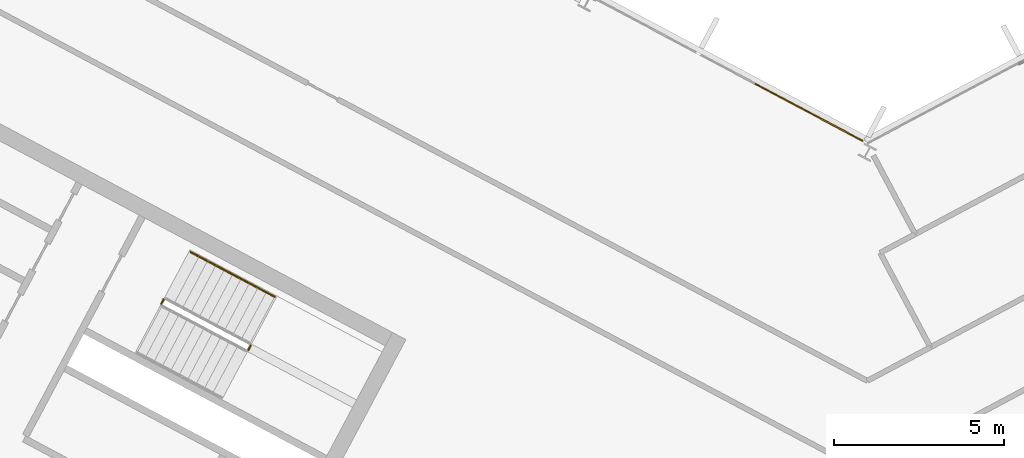
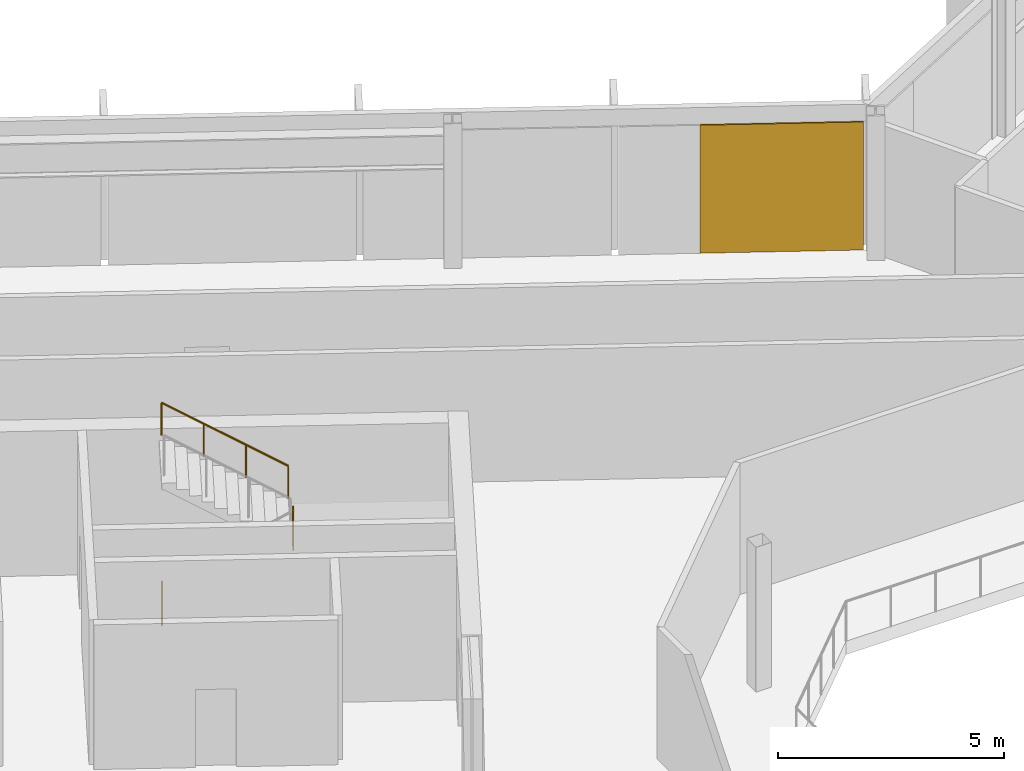
# One storey, part 22 of 25: 3 railings, 1 covering, 1 element without a shape of its own.
"""IFC4 building model written with IfcOpenShell, lengths in metres."""

from ifc_helpers import new_model, si_unit, direction, frame, origin, origin_2d, place, context, subcontext, project, spatial, polyline, rectangle, outline, extrude, material, layer, layer_set, type_object, element, aggregate, save


model = new_model("IFC4")

# Units and contexts
model_context = context("Model", 3, precision=1e-05, world=origin(), true_north=direction((0.0, 1.0)))
body_context = subcontext(model_context, "Body", "Model", "MODEL_VIEW")
ifc_project = project(units=[si_unit("LENGTHUNIT", "METRE"), si_unit("AREAUNIT", "SQUARE_METRE"), si_unit("VOLUMEUNIT", "CUBIC_METRE"), si_unit("PLANEANGLEUNIT", "RADIAN"), si_unit("MASSUNIT", "GRAM", prefix="KILO")], contexts=[model_context])

# Site, building, storey
site_placement = place(None, origin())
site = spatial("IfcSite", under=ifc_project, at=site_placement, CompositionType="ELEMENT")
building_placement = place(site_placement, origin())
building = spatial("IfcBuilding", under=site, at=building_placement, Name="Cormorant Relay Tower", CompositionType="ELEMENT")
storey_placement = place(building_placement, frame((0.0, 0.0, 289.199951171875)))
storey = spatial("IfcBuildingStorey", under=building, at=storey_placement, Name="L65", CompositionType="ELEMENT", Elevation=289.199951171875)

# Curtain wall, covering
ifc_material_1 = material(Name="Aluminium 6063-T6 anodised bronze", Category="aluminium")
ifc_layer_1 = layer(ifc_material_1, 0.199951171875)
ifc_layer_set_1 = layer_set([ifc_layer_1], Name="CW1 unitised bronze curtain wall with vertical fins")
curtain_wall_type = type_object("IfcCurtainWallType", Name="CW1 unitised bronze curtain wall with vertical fins", PredefinedType="NOTDEFINED", material=ifc_layer_set_1)
curtain_wall_placement = place(storey_placement, origin())
curtain_wall = element("IfcCurtainWall", 1, at=curtain_wall_placement, inside=storey, type_object=curtain_wall_type, Name="CW1 curtain wall 9", PredefinedType="NOTDEFINED")
ifc_material_2 = material(Name="Pale bronze anodised aluminium insulated panel", Category="aluminium")
ifc_layer_2 = layer(ifc_material_2, 0.0400390625)
ifc_layer_set_2 = layer_set([ifc_layer_2], Name="CW1 pale bronze insulated panel 40")
covering_type = type_object("IfcCoveringType", Name="CW1 pale bronze insulated panel 40", PredefinedType="CLADDING", material=ifc_layer_set_2)
covering_placement = place(storey_placement, frame((-1.718505859375, 24.720458984375, 0.0), z_axis=(0.0, 0.0, 1.0), x_axis=(-0.882947592859, 0.469471562786, 0.0)))
covering = element("IfcCovering", 2, at=covering_placement, type_object=covering_type, Name="CW1 panel S00", PredefinedType="CLADDING", context=body_context, shape_type="SweptSolid", body=[
    extrude(rectangle(XDim=3.614013671875, YDim=0.0400390625, at=origin_2d()), origin(), (0.0, 0.0, 1.0), 3.449951171875),
])
aggregate(curtain_wall, [covering])

# Railings
ifc_material_3 = material(Name="Steel ASTM A572 Grade 50 (Fy 345 MPa)", Category="steel")
railing_type_1 = type_object("IfcRailingType", Name="Stair guard 1100", PredefinedType="GUARDRAIL", material=ifc_material_3)
railing_1_placement = place(storey_placement, frame((-18.210693359375, 17.72412109375, 1.949951171875)))
element("IfcRailing", 3, at=railing_1_placement, inside=storey, type_object=railing_type_1, Name="L65 A1 stair guard 2", PredefinedType="GUARDRAIL", context=body_context, shape_type="SweptSolid", body=[
    extrude(outline(polyline([(0.022216796875, 0.00927734375), (0.00927734375, 0.022216796875), (-0.00927734375, 0.022216796875), (-0.022216796875, 0.00927734375), (-0.022216796875, -0.00927734375), (-0.00927734375, -0.022216796875), (0.00927734375, -0.022216796875), (0.022216796875, -0.00927734375), (0.022216796875, 0.00927734375)])), frame((0.0, 0.0, 1.076171875), z_axis=(0.470503732759, 0.882398003998, 0.0), x_axis=(-0.882398003998, 0.470503732759, 0.0)), (0.0, 0.0, 1.0), 0.14990234375),
    extrude(outline(polyline([(0.019287109375, 0.008056640625), (0.008056640625, 0.019287109375), (-0.008056640625, 0.019287109375), (-0.019287109375, 0.008056640625), (-0.019287109375, -0.008056640625), (-0.008056640625, -0.019287109375), (0.008056640625, -0.019287109375), (0.019287109375, -0.008056640625), (0.019287109375, 0.008056640625)])), origin(), (0.0, 0.0, 1.0), 1.052001953125),
    extrude(outline(polyline([(0.019287109375, 0.008056640625), (0.008056640625, 0.019287109375), (-0.008056640625, 0.019287109375), (-0.019287109375, 0.008056640625), (-0.019287109375, -0.008056640625), (-0.008056640625, -0.019287109375), (0.008056640625, -0.019287109375), (0.019287109375, -0.008056640625), (0.019287109375, 0.008056640625)])), frame((0.070556640625, 0.13232421875, 0.0)), (0.0, 0.0, 1.0), 1.052001953125),
])
railing_2_placement = place(storey_placement, frame((-20.771240234375, 19.08544921875, 0.0)))
element("IfcRailing", 4, at=railing_2_placement, inside=storey, type_object=railing_type_1, Name="L65 A1 stair guard 4", PredefinedType="GUARDRAIL", context=body_context, shape_type="SweptSolid", body=[
    extrude(outline(polyline([(0.022216796875, 0.00927734375), (0.00927734375, 0.022216796875), (-0.00927734375, 0.022216796875), (-0.022216796875, 0.00927734375), (-0.022216796875, -0.00927734375), (-0.00927734375, -0.022216796875), (0.00927734375, -0.022216796875), (0.022216796875, -0.00927734375), (0.022216796875, 0.00927734375)])), frame((0.0, 0.0, 1.076171875), z_axis=(0.469828648786, 0.882757634224, 0.0), x_axis=(-0.882757634224, 0.469828648786, 0.0)), (0.0, 0.0, 1.0), 0.150146484375),
    extrude(outline(polyline([(0.019287109375, 0.008056640625), (0.008056640625, 0.019287109375), (-0.008056640625, 0.019287109375), (-0.019287109375, 0.008056640625), (-0.019287109375, -0.008056640625), (-0.008056640625, -0.019287109375), (0.008056640625, -0.019287109375), (0.019287109375, -0.008056640625), (0.019287109375, 0.008056640625)])), origin(), (0.0, 0.0, 1.0), 1.052001953125),
    extrude(outline(polyline([(0.019287109375, 0.008056640625), (0.008056640625, 0.019287109375), (-0.008056640625, 0.019287109375), (-0.019287109375, 0.008056640625), (-0.019287109375, -0.008056640625), (-0.008056640625, -0.019287109375), (0.008056640625, -0.019287109375), (0.019287109375, -0.008056640625), (0.019287109375, 0.008056640625)])), frame((0.070556640625, 0.132568359375, 0.0)), (0.0, 0.0, 1.0), 1.052001953125),
])
ifc_material_4 = material(Name="Steel ASTM A572 Grade 50 (Fy 345 MPa)", Category="steel")
railing_type_2 = type_object("IfcRailingType", Name="Stair handrail 900", PredefinedType="HANDRAIL", material=ifc_material_4)
railing_3_placement = place(storey_placement, frame((-17.433349609375, 19.292724609375, 2.12744140625)))
element("IfcRailing", 5, at=railing_3_placement, inside=storey, type_object=railing_type_2, Name="L65 A1 stair handrail 2", PredefinedType="HANDRAIL", context=body_context, shape_type="SweptSolid", body=[
    extrude(outline(polyline([(0.022216796875, 0.00927734375), (0.00927734375, 0.022216796875), (-0.00927734375, 0.022216796875), (-0.022216796875, 0.00927734375), (-0.022216796875, -0.00927734375), (-0.00927734375, -0.022216796875), (0.00927734375, -0.022216796875), (0.022216796875, -0.00927734375), (0.022216796875, 0.00927734375)])), frame((0.0, 0.0, 0.8759765625), z_axis=(-0.746001213114, 0.396649272309, 0.534931345884), x_axis=(-0.469465464807, -0.882950835185, 0.0)), (0.0, 0.0, 1.0), 3.31396484375),
    extrude(outline(polyline([(0.019287109375, 0.008056640625), (0.008056640625, 0.019287109375), (-0.008056640625, 0.019287109375), (-0.019287109375, 0.008056640625), (-0.019287109375, -0.008056640625), (-0.008056640625, -0.019287109375), (0.008056640625, -0.019287109375), (0.019287109375, -0.008056640625), (0.019287109375, 0.008056640625)])), origin(), (0.0, 0.0, 1.0), 0.851806640625),
    extrude(outline(polyline([(0.019287109375, 0.008056640625), (0.008056640625, 0.019287109375), (-0.008056640625, 0.019287109375), (-0.019287109375, 0.008056640625), (-0.019287109375, -0.008056640625), (-0.008056640625, -0.019287109375), (0.008056640625, -0.019287109375), (0.019287109375, -0.008056640625), (0.019287109375, 0.008056640625)])), frame((-0.823974609375, 0.438232421875, 0.5908203125)), (0.0, 0.0, 1.0), 0.851806640625),
    extrude(outline(polyline([(0.019287109375, 0.008056640625), (0.008056640625, 0.019287109375), (-0.008056640625, 0.019287109375), (-0.019287109375, 0.008056640625), (-0.019287109375, -0.008056640625), (-0.008056640625, -0.019287109375), (0.008056640625, -0.019287109375), (0.019287109375, -0.008056640625), (0.019287109375, 0.008056640625)])), frame((-1.648193359375, 0.876220703125, 1.181884765625)), (0.0, 0.0, 1.0), 0.851806640625),
    extrude(outline(polyline([(0.019287109375, 0.008056640625), (0.008056640625, 0.019287109375), (-0.008056640625, 0.019287109375), (-0.019287109375, 0.008056640625), (-0.019287109375, -0.008056640625), (-0.008056640625, -0.019287109375), (0.008056640625, -0.019287109375), (0.019287109375, -0.008056640625), (0.019287109375, 0.008056640625)])), frame((-2.47216796875, 1.314453125, 1.772705078125)), (0.0, 0.0, 1.0), 0.851806640625),
])

save(model, "model.ifc")
